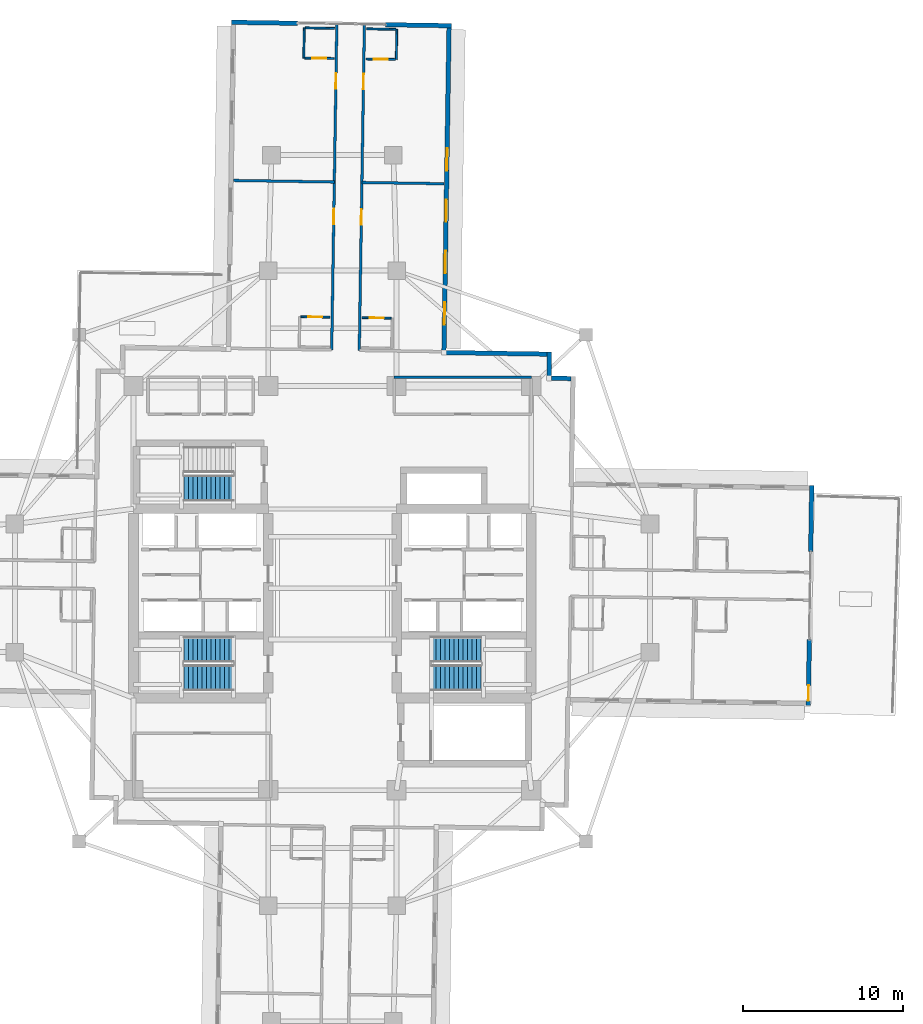
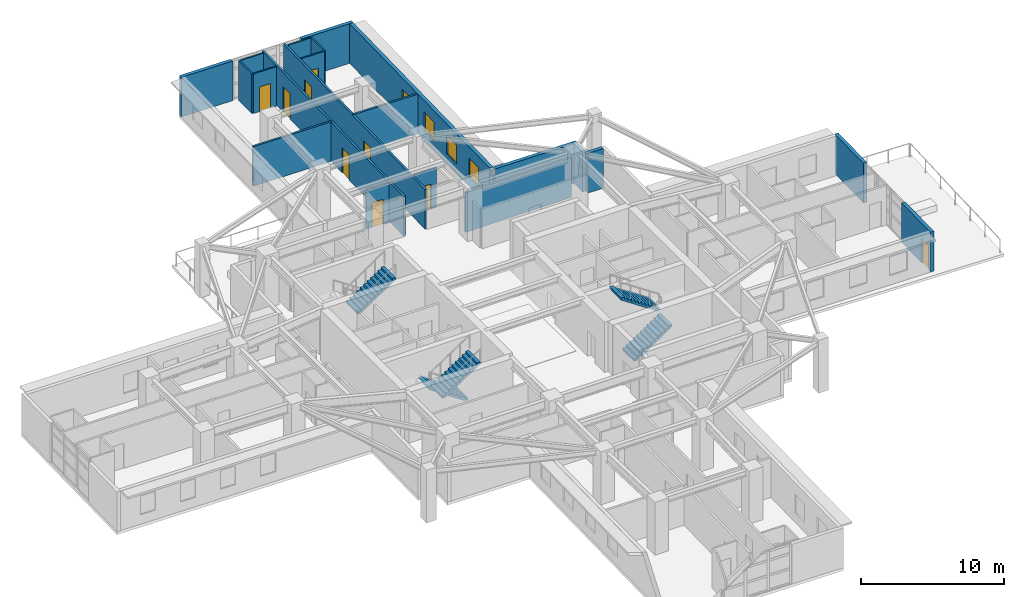
# One storey, part 16 of 22: 21 walls, 9 doors, 5 stair flights, 4 windows, 13 openings, 3 elements without a shape of their own.
"""IFC4 building model written with IfcOpenShell, lengths in metres."""

from ifc_helpers import new_model, si_unit, direction, frame, frame_2d, origin, place, context, subcontext, project, spatial, polyline, rectangle, outline, extrude, material, layer, layer_set, type_object, element, fill, aggregate, save


model = new_model("IFC4")

# Units and contexts
model_context = context("Model", 3, precision=1e-05, world=origin(), true_north=direction((0.0, 1.0)))
body_context = subcontext(model_context, "Body", "Model", "MODEL_VIEW")
ifc_project = project(units=[si_unit("LENGTHUNIT", "METRE"), si_unit("AREAUNIT", "SQUARE_METRE"), si_unit("VOLUMEUNIT", "CUBIC_METRE"), si_unit("PLANEANGLEUNIT", "RADIAN"), si_unit("MASSUNIT", "GRAM", prefix="KILO")], contexts=[model_context])

# Site, building, storey
site_placement = place(None, origin())
site = spatial("IfcSite", under=ifc_project, at=site_placement, CompositionType="ELEMENT")
building_placement = place(site_placement, origin())
building = spatial("IfcBuilding", under=site, at=building_placement, Name="Qingluan Cross Belvedere", CompositionType="ELEMENT")
storey_placement = place(building_placement, frame((0.0, 0.0, 100.199951171875)))
storey = spatial("IfcBuildingStorey", under=building, at=storey_placement, Name="L25", CompositionType="ELEMENT", Elevation=100.199951171875)

# Wall
ifc_material_1 = material(Name="Gypsum plasterboard on steel stud acoustic partition", Category="steel")
ifc_layer_1 = layer(ifc_material_1, 0.159912109375, Name="CorridorPartition_160")
ifc_layer_set_1 = layer_set([ifc_layer_1], Name="Gypsum plasterboard on steel stud acoustic partition")
wall_type_1 = type_object("IfcWallType", Name="CorridorPartition_160", PredefinedType="PARTITIONING", material=ifc_layer_set_1)
wall_1_placement = place(storey_placement, frame((3.85009765625, 13.14990234375, 0.0), z_axis=(0.0, 0.0, 1.0), x_axis=(1.0, 0.0, 0.0)))
element("IfcWall", 1, at=wall_1_placement, inside=storey, type_object=wall_type_1, Name="Partition L25:sky_concierge:N", PredefinedType="PARTITIONING", context=body_context, shape_type="SweptSolid", body=[
    extrude(rectangle(XDim=8.5498046875, YDim=0.159912109375, at=frame_2d((4.27490234375, 0.0))), origin(), (0.0, 0.0, 1.0), 3.3701171875),
])

# Wall, openings, doors
wall_2_placement = place(storey_placement, frame((1.673095703125, 14.825439453125, 0.0), z_axis=(0.0, 0.0, 1.0), x_axis=(0.015707509204, 0.999876629467, 0.0)))
wall_2 = element("IfcWall", 2, at=wall_2_placement, inside=storey, type_object=wall_type_1, Name="Partition L25:N:c0", PredefinedType="PARTITIONING", context=body_context, shape_type="SweptSolid", body=[
    extrude(rectangle(XDim=20.330078125, YDim=0.159912109375, at=frame_2d((10.1650390625, 0.0))), origin(), (0.0, 0.0, 1.0), 3.3701171875),
])
opening_1_placement = place(wall_2_placement, frame((7.8359375, 0.0, 0.0)))
opening_1 = element("IfcOpeningElement", 3, at=opening_1_placement, cuts=wall_2, Name="Opening GD-10", PredefinedType="OPENING", context=body_context, shape_type="SweptSolid", body=[
    extrude(rectangle(XDim=0.9599609375, YDim=2.14990234375, at=frame_2d((0.47998046875, 1.074951171875))), frame((0.0, 0.08984375, 0.0), z_axis=(0.0, -1.0, 0.0), x_axis=(1.0, 0.0, 0.0)), (0.0, 0.0, 1.0), 0.179931640625),
])
opening_2_placement = place(wall_2_placement, frame((16.2958984375, 0.0, 0.0)))
opening_2 = element("IfcOpeningElement", 4, at=opening_2_placement, cuts=wall_2, Name="Opening GD-10", PredefinedType="OPENING", context=body_context, shape_type="SweptSolid", body=[
    extrude(rectangle(XDim=0.9599609375, YDim=2.14990234375, at=frame_2d((0.47998046875, 1.074951171875))), frame((0.0, 0.08984375, 0.0), z_axis=(0.0, -1.0, 0.0), x_axis=(1.0, 0.0, 0.0)), (0.0, 0.0, 1.0), 0.179931640625),
])
ifc_material_2 = material(Name="Timber oak fire-rated acoustic guestroom door", Category="wood")
door_type_1 = type_object("IfcDoorType", Name="GuestEntryDoor_FD60", OperationType="NOTDEFINED", PredefinedType="DOOR", material=ifc_material_2)
door_1_placement = place(opening_1_placement, origin())
door_1 = element("IfcDoor", 5, at=door_1_placement, inside=storey, type_object=door_type_1, Name="Guest entry fire door 2509", OperationType="SINGLE_SWING_LEFT", OverallHeight=2.14990234375, OverallWidth=0.9599609375, PredefinedType="DOOR", context=body_context, shape_type="SweptSolid", body=[
    extrude(rectangle(XDim=0.9599609375, YDim=2.14990234375, at=frame_2d((0.47998046875, 1.074951171875))), frame((0.0, 0.02490234375, 0.0), z_axis=(0.0, -1.0, 0.0), x_axis=(1.0, 0.0, 0.0)), (0.0, 0.0, 1.0), 0.050048828125),
])
fill(opening_1, door_1)
door_2_placement = place(opening_2_placement, origin())
door_2 = element("IfcDoor", 6, at=door_2_placement, inside=storey, type_object=door_type_1, Name="Guest entry fire door 2510", OperationType="SINGLE_SWING_LEFT", OverallHeight=2.14990234375, OverallWidth=0.9599609375, PredefinedType="DOOR", context=body_context, shape_type="SweptSolid", body=[
    extrude(rectangle(XDim=0.9599609375, YDim=2.14990234375, at=frame_2d((0.47998046875, 1.074951171875))), frame((0.0, 0.02490234375, 0.0), z_axis=(0.0, -1.0, 0.0), x_axis=(1.0, 0.0, 0.0)), (0.0, 0.0, 1.0), 0.050048828125),
])
fill(opening_2, door_2)

# Wall
wall_3_placement = place(storey_placement, frame((1.83740234375, 25.294189453125, 0.0), z_axis=(0.0, 0.0, 1.0), x_axis=(0.99987677651, -0.01569814626, 0.0)))
element("IfcWall", 7, at=wall_3_placement, inside=storey, type_object=wall_type_1, Name="Partition L25:N:d0_0", PredefinedType="PARTITIONING", context=body_context, shape_type="SweptSolid", body=[
    extrude(rectangle(XDim=5.13232421875, YDim=0.159912109375, at=frame_2d((2.566162109375, 0.0))), origin(), (0.0, 0.0, 1.0), 3.3701171875),
])

# Wall, openings, doors
wall_4_placement = place(storey_placement, frame((-0.046630859375, 14.8525390625, 0.0), z_axis=(0.0, 0.0, 1.0), x_axis=(0.015707509204, 0.999876629467, 0.0)))
wall_4 = element("IfcWall", 8, at=wall_4_placement, inside=storey, type_object=wall_type_1, Name="Partition L25:N:c1", PredefinedType="PARTITIONING", context=body_context, shape_type="SweptSolid", body=[
    extrude(rectangle(XDim=20.330078125, YDim=0.159912109375, at=frame_2d((10.1650390625, 0.0))), origin(), (0.0, 0.0, 1.0), 3.3701171875),
])
opening_3_placement = place(wall_4_placement, frame((7.8359375, 0.0, 0.0)))
opening_3 = element("IfcOpeningElement", 9, at=opening_3_placement, cuts=wall_4, Name="Opening GD-10", PredefinedType="OPENING", context=body_context, shape_type="SweptSolid", body=[
    extrude(rectangle(XDim=0.9599609375, YDim=2.14990234375, at=frame_2d((0.47998046875, 1.074951171875))), frame((0.0, 0.08984375, 0.0), z_axis=(0.0, -1.0, 0.0), x_axis=(1.0, 0.0, 0.0)), (0.0, 0.0, 1.0), 0.179931640625),
])
opening_4_placement = place(wall_4_placement, frame((16.2958984375, 0.0, 0.0)))
opening_4 = element("IfcOpeningElement", 10, at=opening_4_placement, cuts=wall_4, Name="Opening GD-10", PredefinedType="OPENING", context=body_context, shape_type="SweptSolid", body=[
    extrude(rectangle(XDim=0.9599609375, YDim=2.14990234375, at=frame_2d((0.47998046875, 1.074951171875))), frame((0.0, 0.08984375, 0.0), z_axis=(0.0, -1.0, 0.0), x_axis=(1.0, 0.0, 0.0)), (0.0, 0.0, 1.0), 0.179931640625),
])
door_3_placement = place(opening_3_placement, origin())
door_3 = element("IfcDoor", 11, at=door_3_placement, inside=storey, type_object=door_type_1, Name="Guest entry fire door 2511", OperationType="SINGLE_SWING_LEFT", OverallHeight=2.14990234375, OverallWidth=0.9599609375, PredefinedType="DOOR", context=body_context, shape_type="SweptSolid", body=[
    extrude(rectangle(XDim=0.9599609375, YDim=2.14990234375, at=frame_2d((0.47998046875, 1.074951171875))), frame((0.0, 0.02490234375, 0.0), z_axis=(0.0, -1.0, 0.0), x_axis=(1.0, 0.0, 0.0)), (0.0, 0.0, 1.0), 0.050048828125),
])
fill(opening_3, door_3)
door_4_placement = place(opening_4_placement, origin())
door_4 = element("IfcDoor", 12, at=door_4_placement, inside=storey, type_object=door_type_1, Name="Guest entry fire door 2512", OperationType="SINGLE_SWING_LEFT", OverallHeight=2.14990234375, OverallWidth=0.9599609375, PredefinedType="DOOR", context=body_context, shape_type="SweptSolid", body=[
    extrude(rectangle(XDim=0.9599609375, YDim=2.14990234375, at=frame_2d((0.47998046875, 1.074951171875))), frame((0.0, 0.02490234375, 0.0), z_axis=(0.0, -1.0, 0.0), x_axis=(1.0, 0.0, 0.0)), (0.0, 0.0, 1.0), 0.050048828125),
])
fill(opening_4, door_4)

# Wall
wall_5_placement = place(storey_placement, frame((0.11767578125, 25.3212890625, 0.0), z_axis=(0.0, 0.0, 1.0), x_axis=(-0.999876517768, 0.01571461794, 0.0)))
element("IfcWall", 13, at=wall_5_placement, inside=storey, type_object=wall_type_1, Name="Partition L25:N:d1_0", PredefinedType="PARTITIONING", context=body_context, shape_type="SweptSolid", body=[
    extrude(rectangle(XDim=6.2919921875, YDim=0.159912109375, at=frame_2d((3.14599609375, 0.0))), origin(), (0.0, 0.0, 1.0), 3.3701171875),
])

# Wall, opening, door
ifc_material_3 = material(Name="Moisture-resistant gypsum board lining")
ifc_layer_2 = layer(ifc_material_3, 0.1201171875, Name="EnsuiteWetPartition_120")
ifc_layer_set_2 = layer_set([ifc_layer_2], Name="Moisture-resistant gypsum board lining")
wall_type_2 = type_object("IfcWallType", Name="EnsuiteWetPartition_120", PredefinedType="PARTITIONING", material=ifc_layer_set_2)
wall_6_placement = place(storey_placement, frame((1.84521484375, 16.863037109375, 0.0), z_axis=(0.0, 0.0, 1.0), x_axis=(0.999876803258, -0.015696442504, 0.0)))
wall_6 = element("IfcWall", 14, at=wall_6_placement, inside=storey, type_object=wall_type_2, Name="Partition L25:N:bs0_0", PredefinedType="PARTITIONING", context=body_context, shape_type="SweptSolid", body=[
    extrude(rectangle(XDim=1.81982421875, YDim=0.1201171875, at=frame_2d((0.909912109375, 0.0))), origin(), (0.0, 0.0, 1.0), 3.3701171875),
])
opening_5_placement = place(wall_6_placement, frame((0.469970703125, 0.0, 0.0)))
opening_5 = element("IfcOpeningElement", 15, at=opening_5_placement, cuts=wall_6, Name="Opening BD-09", PredefinedType="OPENING", context=body_context, shape_type="SweptSolid", body=[
    extrude(rectangle(XDim=0.8798828125, YDim=2.10009765625, at=frame_2d((0.43994140625, 1.050048828125))), frame((0.0, 0.070068359375, 0.0), z_axis=(0.0, -1.0, 0.0), x_axis=(1.0, 0.0, 0.0)), (0.0, 0.0, 1.0), 0.14013671875),
])
ifc_material_4 = material(Name="Moisture-sealed timber en-suite door", Category="wood")
door_type_2 = type_object("IfcDoorType", Name="BathroomDoor_880", OperationType="NOTDEFINED", PredefinedType="DOOR", material=ifc_material_4)
door_5_placement = place(opening_5_placement, origin())
door_5 = element("IfcDoor", 16, at=door_5_placement, inside=storey, type_object=door_type_2, Name="Bathroom door 2509", OperationType="SINGLE_SWING_RIGHT", OverallHeight=2.10009765625, OverallWidth=0.8798828125, PredefinedType="DOOR", context=body_context, shape_type="SweptSolid", body=[
    extrude(rectangle(XDim=0.8798828125, YDim=2.10009765625, at=frame_2d((0.43994140625, 1.050048828125))), frame((0.0, 0.02490234375, 0.0), z_axis=(0.0, -1.0, 0.0), x_axis=(1.0, 0.0, 0.0)), (0.0, 0.0, 1.0), 0.050048828125),
])
fill(opening_5, door_5)

wall_7_placement = place(storey_placement, frame((2.098388671875, 32.9912109375, 0.0), z_axis=(0.0, 0.0, 1.0), x_axis=(0.999874722342, -0.015828443418, 0.0)))
wall_7 = element("IfcWall", 17, at=wall_7_placement, inside=storey, type_object=wall_type_2, Name="Partition L25:N:bs0_1", PredefinedType="PARTITIONING", context=body_context, shape_type="SweptSolid", body=[
    extrude(rectangle(XDim=1.820068359375, YDim=0.1201171875, at=frame_2d((0.91015625, 0.0))), origin(), (0.0, 0.0, 1.0), 3.3701171875),
])
opening_6_placement = place(wall_7_placement, frame((0.469970703125, 0.0, 0.0)))
opening_6 = element("IfcOpeningElement", 18, at=opening_6_placement, cuts=wall_7, Name="Opening BD-09", PredefinedType="OPENING", context=body_context, shape_type="SweptSolid", body=[
    extrude(rectangle(XDim=0.8798828125, YDim=2.10009765625, at=frame_2d((0.43994140625, 1.050048828125))), frame((0.0, 0.070068359375, 0.0), z_axis=(0.0, -1.0, 0.0), x_axis=(1.0, 0.0, 0.0)), (0.0, 0.0, 1.0), 0.14013671875),
])
door_6_placement = place(opening_6_placement, origin())
door_6 = element("IfcDoor", 19, at=door_6_placement, inside=storey, type_object=door_type_2, Name="Bathroom door 2510", OperationType="SINGLE_SWING_RIGHT", OverallHeight=2.10009765625, OverallWidth=0.8798828125, PredefinedType="DOOR", context=body_context, shape_type="SweptSolid", body=[
    extrude(rectangle(XDim=0.8798828125, YDim=2.10009765625, at=frame_2d((0.43994140625, 1.050048828125))), frame((0.0, 0.02490234375, 0.0), z_axis=(0.0, -1.0, 0.0), x_axis=(1.0, 0.0, 0.0)), (0.0, 0.0, 1.0), 0.050048828125),
])
fill(opening_6, door_6)

# Walls
wall_8_placement = place(storey_placement, frame((2.1279296875, 34.870849609375, 0.0), z_axis=(0.0, 0.0, 1.0), x_axis=(0.999876836305, -0.015694337248, 0.0)))
element("IfcWall", 20, at=wall_8_placement, inside=storey, type_object=wall_type_2, Name="Partition L25:N:bw0_1", PredefinedType="PARTITIONING", context=body_context, shape_type="SweptSolid", body=[
    extrude(rectangle(XDim=1.820068359375, YDim=0.1201171875, at=frame_2d((0.91015625, 0.0))), origin(), (0.0, 0.0, 1.0), 3.3701171875),
])
wall_9_placement = place(storey_placement, frame((3.983154296875, 32.96142578125, 0.0), z_axis=(0.0, 0.0, 1.0), x_axis=(0.01571234584, 0.999876553475, 0.0)))
element("IfcWall", 21, at=wall_9_placement, inside=storey, type_object=wall_type_2, Name="Partition L25:N:bn0_1", PredefinedType="PARTITIONING", context=body_context, shape_type="SweptSolid", body=[
    extrude(rectangle(XDim=1.880126953125, YDim=0.1201171875, at=frame_2d((0.93994140625, 0.0))), origin(), (0.0, 0.0, 1.0), 3.3701171875),
])

# Wall, opening, door
wall_10_placement = place(storey_placement, frame((-1.974365234375, 16.923095703125, 0.0), z_axis=(0.0, 0.0, 1.0), x_axis=(0.999876803258, -0.015696442504, 0.0)))
wall_10 = element("IfcWall", 22, at=wall_10_placement, inside=storey, type_object=wall_type_2, Name="Partition L25:N:bs1_0", PredefinedType="PARTITIONING", context=body_context, shape_type="SweptSolid", body=[
    extrude(rectangle(XDim=1.81982421875, YDim=0.1201171875, at=frame_2d((0.909912109375, 0.0))), origin(), (0.0, 0.0, 1.0), 3.3701171875),
])
opening_7_placement = place(wall_10_placement, frame((0.469970703125, 0.0, 0.0)))
opening_7 = element("IfcOpeningElement", 23, at=opening_7_placement, cuts=wall_10, Name="Opening BD-09", PredefinedType="OPENING", context=body_context, shape_type="SweptSolid", body=[
    extrude(rectangle(XDim=0.8798828125, YDim=2.10009765625, at=frame_2d((0.43994140625, 1.050048828125))), frame((0.0, 0.070068359375, 0.0), z_axis=(0.0, -1.0, 0.0), x_axis=(1.0, 0.0, 0.0)), (0.0, 0.0, 1.0), 0.14013671875),
])
door_7_placement = place(opening_7_placement, origin())
door_7 = element("IfcDoor", 24, at=door_7_placement, inside=storey, type_object=door_type_2, Name="Bathroom door 2511", OperationType="SINGLE_SWING_RIGHT", OverallHeight=2.10009765625, OverallWidth=0.8798828125, PredefinedType="DOOR", context=body_context, shape_type="SweptSolid", body=[
    extrude(rectangle(XDim=0.8798828125, YDim=2.10009765625, at=frame_2d((0.43994140625, 1.050048828125))), frame((0.0, 0.02490234375, 0.0), z_axis=(0.0, -1.0, 0.0), x_axis=(1.0, 0.0, 0.0)), (0.0, 0.0, 1.0), 0.050048828125),
])
fill(opening_7, door_7)

wall_11_placement = place(storey_placement, frame((-1.72119140625, 33.051025390625, 0.0), z_axis=(0.0, 0.0, 1.0), x_axis=(0.999876836305, -0.015694337248, 0.0)))
wall_11 = element("IfcWall", 25, at=wall_11_placement, inside=storey, type_object=wall_type_2, Name="Partition L25:N:bs1_1", PredefinedType="PARTITIONING", context=body_context, shape_type="SweptSolid", body=[
    extrude(rectangle(XDim=1.820068359375, YDim=0.1201171875, at=frame_2d((0.91015625, 0.0))), origin(), (0.0, 0.0, 1.0), 3.3701171875),
])
opening_8_placement = place(wall_11_placement, frame((0.469970703125, 0.0, 0.0)))
opening_8 = element("IfcOpeningElement", 26, at=opening_8_placement, cuts=wall_11, Name="Opening BD-09", PredefinedType="OPENING", context=body_context, shape_type="SweptSolid", body=[
    extrude(rectangle(XDim=0.8798828125, YDim=2.10009765625, at=frame_2d((0.43994140625, 1.050048828125))), frame((0.0, 0.070068359375, 0.0), z_axis=(0.0, -1.0, 0.0), x_axis=(1.0, 0.0, 0.0)), (0.0, 0.0, 1.0), 0.14013671875),
])
door_8_placement = place(opening_8_placement, origin())
door_8 = element("IfcDoor", 27, at=door_8_placement, inside=storey, type_object=door_type_2, Name="Bathroom door 2512", OperationType="SINGLE_SWING_RIGHT", OverallHeight=2.10009765625, OverallWidth=0.8798828125, PredefinedType="DOOR", context=body_context, shape_type="SweptSolid", body=[
    extrude(rectangle(XDim=0.8798828125, YDim=2.10009765625, at=frame_2d((0.43994140625, 1.050048828125))), frame((0.0, 0.02490234375, 0.0), z_axis=(0.0, -1.0, 0.0), x_axis=(1.0, 0.0, 0.0)), (0.0, 0.0, 1.0), 0.050048828125),
])
fill(opening_8, door_8)

# Walls
wall_12_placement = place(storey_placement, frame((-1.69140625, 34.930908203125, 0.0), z_axis=(0.0, 0.0, 1.0), x_axis=(0.999876803258, -0.015696442504, 0.0)))
element("IfcWall", 28, at=wall_12_placement, inside=storey, type_object=wall_type_2, Name="Partition L25:N:bw1_1", PredefinedType="PARTITIONING", context=body_context, shape_type="SweptSolid", body=[
    extrude(rectangle(XDim=1.81982421875, YDim=0.1201171875, at=frame_2d((0.909912109375, 0.0))), origin(), (0.0, 0.0, 1.0), 3.3701171875),
])
wall_13_placement = place(storey_placement, frame((-1.7861328125, 33.052001953125, 0.0), z_axis=(0.0, 0.0, 1.0), x_axis=(0.01571234584, 0.999876553475, 0.0)))
element("IfcWall", 29, at=wall_13_placement, inside=storey, type_object=wall_type_2, Name="Partition L25:N:bc1_1", PredefinedType="PARTITIONING", context=body_context, shape_type="SweptSolid", body=[
    extrude(rectangle(XDim=1.880126953125, YDim=0.1201171875, at=frame_2d((0.93994140625, 0.0))), origin(), (0.0, 0.0, 1.0), 3.3701171875),
])

# Wall, opening, door
ifc_material_5 = material(Name="Precast concrete C45", Category="concrete")
ifc_layer_3 = layer(ifc_material_5, 0.280029296875, Name="PrecastFacadeWall_280")
ifc_layer_set_3 = layer_set([ifc_layer_3], Name="Precast concrete C45")
wall_type_3 = type_object("IfcWallType", Name="PrecastFacadeWall_280", PredefinedType="STANDARD", material=ifc_layer_set_3)
wall_14_placement = place(storey_placement, frame((29.668701171875, -7.326904296875, 0.0), z_axis=(0.0, 0.0, 1.0), x_axis=(0.015718530042, 0.999876456275, 0.0)))
wall_14 = element("IfcWall", 30, at=wall_14_placement, inside=storey, type_object=wall_type_3, Name="Terrace portal jamb wall L25-E1", PredefinedType="STANDARD", context=body_context, shape_type="SweptSolid", body=[
    extrude(rectangle(XDim=4.115966796875, YDim=0.280029296875, at=frame_2d((2.05810546875, 0.0))), origin(), (0.0, 0.0, 1.0), 3.380126953125),
])
opening_9_placement = place(wall_14_placement, frame((0.300048828125, 0.0, 0.0)))
opening_9 = element("IfcOpeningElement", 31, at=opening_9_placement, cuts=wall_14, Name="Opening TD-10", PredefinedType="OPENING", context=body_context, shape_type="SweptSolid", body=[
    extrude(rectangle(XDim=0.9599609375, YDim=2.10009765625, at=frame_2d((0.47998046875, 1.050048828125))), frame((0.0, 0.14990234375, 0.0), z_axis=(0.0, -1.0, 0.0), x_axis=(1.0, 0.0, 0.0)), (0.0, 0.0, 1.0), 0.300048828125),
])
ifc_material_6 = material(Name="Thermally broken aluminium and Low-E glass", Category="aluminium")
door_type_3 = type_object("IfcDoorType", Name="SetbackTerraceDoor_096", OperationType="NOTDEFINED", PredefinedType="DOOR", material=ifc_material_6)
door_9_placement = place(opening_9_placement, origin())
door_9 = element("IfcDoor", 32, at=door_9_placement, inside=storey, type_object=door_type_3, Name="Outdoor terrace access door L25-set1", OperationType="SINGLE_SWING_RIGHT", OverallHeight=2.10009765625, OverallWidth=0.9599609375, PredefinedType="DOOR", context=body_context, shape_type="SweptSolid", body=[
    extrude(rectangle(XDim=0.9599609375, YDim=2.10009765625, at=frame_2d((0.47998046875, 1.050048828125))), frame((0.0, 0.02490234375, 0.0), z_axis=(0.0, -1.0, 0.0), x_axis=(1.0, 0.0, 0.0)), (0.0, 0.0, 1.0), 0.050048828125),
])
fill(opening_9, door_9)

# Wall
wall_15_placement = place(storey_placement, frame((29.8193359375, 2.27587890625, 0.0), z_axis=(0.0, 0.0, 1.0), x_axis=(0.015718530042, 0.999876456275, 0.0)))
element("IfcWall", 33, at=wall_15_placement, inside=storey, type_object=wall_type_3, Name="Terrace portal jamb wall L25-E2", PredefinedType="STANDARD", context=body_context, shape_type="SweptSolid", body=[
    extrude(rectangle(XDim=4.115966796875, YDim=0.280029296875, at=frame_2d((2.05810546875, 0.0))), origin(), (0.0, 0.0, 1.0), 3.380126953125),
])

# Wall, openings, windows
wall_16_placement = place(storey_placement, frame((6.953857421875, 14.83251953125, 0.0), z_axis=(0.0, 0.0, 1.0), x_axis=(0.015705059908, 0.999876667941, 0.0)))
wall_16 = element("IfcWall", 34, at=wall_16_placement, inside=storey, type_object=wall_type_3, Name="Facade wall L25-NA", PredefinedType="STANDARD", context=body_context, shape_type="SweptSolid", body=[
    extrude(rectangle(XDim=20.10009765625, YDim=0.280029296875, at=frame_2d((10.050048828125, 0.0))), origin(), (0.0, 0.0, 1.0), 3.380126953125),
])
opening_10_placement = place(wall_16_placement, frame((1.60009765625, 0.0, 0.800048828125)))
opening_10 = element("IfcOpeningElement", 35, at=opening_10_placement, cuts=wall_16, Name="Opening W-01", PredefinedType="OPENING", context=body_context, shape_type="SweptSolid", body=[
    extrude(rectangle(XDim=1.39990234375, YDim=1.60009765625, at=frame_2d((0.699951171875, 0.800048828125))), frame((0.0, 0.14990234375, 0.0), z_axis=(0.0, -1.0, 0.0), x_axis=(1.0, 0.0, 0.0)), (0.0, 0.0, 1.0), 0.300048828125),
])
opening_11_placement = place(wall_16_placement, frame((4.800048828125, 0.0, 0.800048828125)))
opening_11 = element("IfcOpeningElement", 36, at=opening_11_placement, cuts=wall_16, Name="Opening W-01", PredefinedType="OPENING", context=body_context, shape_type="SweptSolid", body=[
    extrude(rectangle(XDim=1.39990234375, YDim=1.60009765625, at=frame_2d((0.699951171875, 0.800048828125))), frame((0.0, 0.14990234375, 0.0), z_axis=(0.0, -1.0, 0.0), x_axis=(1.0, 0.0, 0.0)), (0.0, 0.0, 1.0), 0.300048828125),
])
opening_12_placement = place(wall_16_placement, frame((8.0, 0.0, 0.800048828125)))
opening_12 = element("IfcOpeningElement", 37, at=opening_12_placement, cuts=wall_16, Name="Opening W-01", PredefinedType="OPENING", context=body_context, shape_type="SweptSolid", body=[
    extrude(rectangle(XDim=1.39990234375, YDim=1.60009765625, at=frame_2d((0.699951171875, 0.800048828125))), frame((0.0, 0.14990234375, 0.0), z_axis=(0.0, -1.0, 0.0), x_axis=(1.0, 0.0, 0.0)), (0.0, 0.0, 1.0), 0.300048828125),
])
opening_13_placement = place(wall_16_placement, frame((11.199951171875, 0.0, 0.800048828125)))
opening_13 = element("IfcOpeningElement", 38, at=opening_13_placement, cuts=wall_16, Name="Opening W-01", PredefinedType="OPENING", context=body_context, shape_type="SweptSolid", body=[
    extrude(rectangle(XDim=1.39990234375, YDim=1.60009765625, at=frame_2d((0.699951171875, 0.800048828125))), frame((0.0, 0.14990234375, 0.0), z_axis=(0.0, -1.0, 0.0), x_axis=(1.0, 0.0, 0.0)), (0.0, 0.0, 1.0), 0.300048828125),
])
ifc_material_7 = material(Name="Thermally broken triple Low-E glass in aluminium frame", Category="aluminium")
window_type = type_object("IfcWindowType", Name="TriRibbonWin_1400x1600", PartitioningType="SINGLE_PANEL", PredefinedType="WINDOW", material=ifc_material_7)
window_1_placement = place(opening_10_placement, origin())
window_1 = element("IfcWindow", 39, at=window_1_placement, inside=storey, type_object=window_type, Name="Ribbon window L25-NA-1", OverallHeight=1.60009765625, OverallWidth=1.39990234375, PartitioningType="SINGLE_PANEL", PredefinedType="WINDOW", context=body_context, shape_type="SweptSolid", body=[
    extrude(rectangle(XDim=1.39990234375, YDim=1.60009765625, at=frame_2d((0.699951171875, 0.800048828125))), frame((0.0, 0.030029296875, 0.0), z_axis=(0.0, -1.0, 0.0), x_axis=(1.0, 0.0, 0.0)), (0.0, 0.0, 1.0), 0.06005859375),
])
fill(opening_10, window_1)
window_2_placement = place(opening_11_placement, origin())
window_2 = element("IfcWindow", 40, at=window_2_placement, inside=storey, type_object=window_type, Name="Ribbon window L25-NA-2", OverallHeight=1.60009765625, OverallWidth=1.39990234375, PartitioningType="SINGLE_PANEL", PredefinedType="WINDOW", context=body_context, shape_type="SweptSolid", body=[
    extrude(rectangle(XDim=1.39990234375, YDim=1.60009765625, at=frame_2d((0.699951171875, 0.800048828125))), frame((0.0, 0.030029296875, 0.0), z_axis=(0.0, -1.0, 0.0), x_axis=(1.0, 0.0, 0.0)), (0.0, 0.0, 1.0), 0.06005859375),
])
fill(opening_11, window_2)
window_3_placement = place(opening_12_placement, origin())
window_3 = element("IfcWindow", 41, at=window_3_placement, inside=storey, type_object=window_type, Name="Ribbon window L25-NA-3", OverallHeight=1.60009765625, OverallWidth=1.39990234375, PartitioningType="SINGLE_PANEL", PredefinedType="WINDOW", context=body_context, shape_type="SweptSolid", body=[
    extrude(rectangle(XDim=1.39990234375, YDim=1.60009765625, at=frame_2d((0.699951171875, 0.800048828125))), frame((0.0, 0.030029296875, 0.0), z_axis=(0.0, -1.0, 0.0), x_axis=(1.0, 0.0, 0.0)), (0.0, 0.0, 1.0), 0.06005859375),
])
fill(opening_12, window_3)
window_4_placement = place(opening_13_placement, origin())
window_4 = element("IfcWindow", 42, at=window_4_placement, inside=storey, type_object=window_type, Name="Ribbon window L25-NA-4", OverallHeight=1.60009765625, OverallWidth=1.39990234375, PartitioningType="SINGLE_PANEL", PredefinedType="WINDOW", context=body_context, shape_type="SweptSolid", body=[
    extrude(rectangle(XDim=1.39990234375, YDim=1.60009765625, at=frame_2d((0.699951171875, 0.800048828125))), frame((0.0, 0.030029296875, 0.0), z_axis=(0.0, -1.0, 0.0), x_axis=(1.0, 0.0, 0.0)), (0.0, 0.0, 1.0), 0.06005859375),
])
fill(opening_13, window_4)

# Walls
for number, where, z_axis, x_axis, name in (
    (43, (7.41162109375, 35.06787109375, 0.0), (0.0, 0.0, 1.0), (-0.999876456275, 0.015718530042, 0.0), "Terrace portal jamb wall L25-N1"),
    (44, (-2.191162109375, 35.21875, 0.0), (0.0, 0.0, 1.0), (-0.999876456275, 0.015718530042, 0.0), "Terrace portal jamb wall L25-N2"),
):
    element("IfcWall", number, at=place(storey_placement, frame(where, z_axis=z_axis, x_axis=x_axis)), inside=storey, type_object=wall_type_3, Name=name, PredefinedType="STANDARD", context=body_context, shape_type="SweptSolid", body=[
        extrude(rectangle(XDim=4.115966796875, YDim=0.280029296875, at=frame_2d((2.05810546875, 0.0))), origin(), (0.0, 0.0, 1.0), 3.380126953125),
    ])
wall_17_placement = place(storey_placement, frame((14.8671875, 13.068115234375, 0.0), z_axis=(0.0, 0.0, 1.0), x_axis=(-0.999875053502, 0.015807510352, 0.0)))
element("IfcWall", 45, at=wall_17_placement, inside=storey, type_object=wall_type_3, Name="Corner wall L25-NE2", PredefinedType="STANDARD", context=body_context, shape_type="SweptSolid", body=[
    extrude(rectangle(XDim=1.22021484375, YDim=0.280029296875, at=frame_2d((0.610107421875, 0.0))), origin(), (0.0, 0.0, 1.0), 3.380126953125),
])
wall_18_placement = place(storey_placement, frame((13.509521484375, 13.2294921875, 0.0), z_axis=(0.0, 0.0, 1.0), x_axis=(0.015625635615, 0.999877912303, 0.0)))
element("IfcWall", 46, at=wall_18_placement, inside=storey, type_object=wall_type_3, Name="Corner wall L25-NE3", PredefinedType="STANDARD", context=body_context, shape_type="SweptSolid", body=[
    extrude(rectangle(XDim=1.5, YDim=0.280029296875, at=frame_2d((0.75, 0.0))), origin(), (0.0, 0.0, 1.0), 3.380126953125),
])
wall_19_placement = place(storey_placement, frame((13.390869140625, 14.591552734375, 0.0), z_axis=(0.0, 0.0, 1.0), x_axis=(-0.999876833368, 0.015694524359, 0.0)))
element("IfcWall", 47, at=wall_19_placement, inside=storey, type_object=wall_type_3, Name="Corner wall L25-NE4", PredefinedType="STANDARD", context=body_context, shape_type="SweptSolid", body=[
    extrude(rectangle(XDim=6.300048828125, YDim=0.280029296875, at=frame_2d((3.14990234375, 0.0))), origin(), (0.0, 0.0, 1.0), 3.380126953125),
])

# Stair, stair flights
ifc_material_8 = material(Name="Concrete C40", Category="concrete")
stair_type = type_object("IfcStairType", Name="CoreDoglegStair_1620", PredefinedType="HALF_TURN_STAIR", material=ifc_material_8)
stair_1_placement = place(storey_placement, origin())
stair_1 = element("IfcStair", 48, at=stair_1_placement, inside=storey, type_object=stair_type, Name="L25 ST1", PredefinedType="HALF_TURN_STAIR")
ifc_material_9 = material(Name="Concrete C40", Category="concrete")
ifc_layer_4 = layer(ifc_material_9, 0.179931640625, Name="StairFlight_RC180")
ifc_layer_set_4 = layer_set([ifc_layer_4], Name="Concrete C40")
stair_flight_type = type_object("IfcStairFlightType", Name="StairFlight_RC180", PredefinedType="STRAIGHT", material=ifc_layer_set_4)
stair_flight_1_placement = place(storey_placement, frame((-6.179931640625, -3.81005859375, 0.0), z_axis=(0.0, 0.0, 1.0), x_axis=(-1.0, 0.0, 0.0)))
stair_flight_1 = element("IfcStairFlight", 49, at=stair_flight_1_placement, type_object=stair_flight_type, Name="ST1 flight 1", NumberOfRisers=12, NumberOfTreads=11, PredefinedType="STRAIGHT", RiserHeight=0.1875, TreadLength=0.28, context=body_context, shape_type="SweptSolid", body=[
    extrude(outline(polyline([(0.0, 0.0), (0.0, 0.1875), (0.280029296875, 0.1875), (0.280029296875, 0.375), (0.56005859375, 0.375), (0.56005859375, 0.5625), (0.840087890625, 0.5625), (0.840087890625, 0.75), (1.1201171875, 0.75), (1.1201171875, 0.9375), (1.39990234375, 0.9375), (1.39990234375, 1.125), (1.679931640625, 1.125), (1.679931640625, 1.3125), (1.9599609375, 1.3125), (1.9599609375, 1.5), (2.239990234375, 1.5), (2.239990234375, 1.6875), (2.52001953125, 1.6875), (2.52001953125, 1.875), (2.800048828125, 1.875), (2.800048828125, 2.0625), (3.080078125, 2.0625), (3.080078125, 2.25), (3.080078125, 1.882080078125), (0.26953125, 0.0), (0.0, 0.0)])), frame((0.0, 0.81005859375, 0.0), z_axis=(0.0, -1.0, 0.0), x_axis=(1.0, 0.0, 0.0)), (0.0, 0.0, 1.0), 1.6201171875),
])
stair_flight_2_placement = place(storey_placement, frame((-9.260009765625, -5.590087890625, 2.25), z_axis=(0.0, 0.0, 1.0), x_axis=(1.0, 0.0, 0.0)))
stair_flight_2 = element("IfcStairFlight", 50, at=stair_flight_2_placement, type_object=stair_flight_type, Name="ST1 flight 2", NumberOfRisers=12, NumberOfTreads=11, PredefinedType="STRAIGHT", RiserHeight=0.1875, TreadLength=0.28, context=body_context, shape_type="SweptSolid", body=[
    extrude(outline(polyline([(0.0, 0.0), (0.0, 0.1875), (0.280029296875, 0.1875), (0.280029296875, 0.375), (0.56005859375, 0.375), (0.56005859375, 0.5625), (0.840087890625, 0.5625), (0.840087890625, 0.75), (1.1201171875, 0.75), (1.1201171875, 0.9375), (1.39990234375, 0.9375), (1.39990234375, 1.125), (1.679931640625, 1.125), (1.679931640625, 1.3125), (1.9599609375, 1.3125), (1.9599609375, 1.5), (2.239990234375, 1.5), (2.239990234375, 1.6875), (2.52001953125, 1.6875), (2.52001953125, 1.875), (2.800048828125, 1.875), (2.800048828125, 2.0625), (3.080078125, 2.0625), (3.080078125, 2.25), (3.080078125, 1.882080078125), (0.26953125, 0.0), (0.0, 0.0)])), frame((0.0, 0.81005859375, 0.0), z_axis=(0.0, -1.0, 0.0), x_axis=(1.0, 0.0, 0.0)), (0.0, 0.0, 1.0), 1.6201171875),
])
aggregate(stair_1, [stair_flight_1, stair_flight_2])

stair_2_placement = place(storey_placement, origin())
stair_2 = element("IfcStair", 51, at=stair_2_placement, inside=storey, type_object=stair_type, Name="L25 ST2", PredefinedType="HALF_TURN_STAIR")
stair_flight_3_placement = place(storey_placement, frame((6.179931640625, -5.590087890625, 0.0), z_axis=(0.0, 0.0, 1.0), x_axis=(1.0, 0.0, 0.0)))
stair_flight_3 = element("IfcStairFlight", 52, at=stair_flight_3_placement, type_object=stair_flight_type, Name="ST2 flight 1", NumberOfRisers=12, NumberOfTreads=11, PredefinedType="STRAIGHT", RiserHeight=0.1875, TreadLength=0.28, context=body_context, shape_type="SweptSolid", body=[
    extrude(outline(polyline([(0.0, 0.0), (0.0, 0.1875), (0.280029296875, 0.1875), (0.280029296875, 0.375), (0.56005859375, 0.375), (0.56005859375, 0.5625), (0.840087890625, 0.5625), (0.840087890625, 0.75), (1.1201171875, 0.75), (1.1201171875, 0.9375), (1.39990234375, 0.9375), (1.39990234375, 1.125), (1.679931640625, 1.125), (1.679931640625, 1.3125), (1.9599609375, 1.3125), (1.9599609375, 1.5), (2.239990234375, 1.5), (2.239990234375, 1.6875), (2.52001953125, 1.6875), (2.52001953125, 1.875), (2.800048828125, 1.875), (2.800048828125, 2.0625), (3.080078125, 2.0625), (3.080078125, 2.25), (3.080078125, 1.882080078125), (0.26953125, 0.0), (0.0, 0.0)])), frame((0.0, 0.81005859375, 0.0), z_axis=(0.0, -1.0, 0.0), x_axis=(1.0, 0.0, 0.0)), (0.0, 0.0, 1.0), 1.6201171875),
])
stair_flight_4_placement = place(storey_placement, frame((9.260009765625, -3.81005859375, 2.25), z_axis=(0.0, 0.0, 1.0), x_axis=(-1.0, 0.0, 0.0)))
stair_flight_4 = element("IfcStairFlight", 53, at=stair_flight_4_placement, type_object=stair_flight_type, Name="ST2 flight 2", NumberOfRisers=12, NumberOfTreads=11, PredefinedType="STRAIGHT", RiserHeight=0.1875, TreadLength=0.28, context=body_context, shape_type="SweptSolid", body=[
    extrude(outline(polyline([(0.0, 0.0), (0.0, 0.1875), (0.280029296875, 0.1875), (0.280029296875, 0.375), (0.56005859375, 0.375), (0.56005859375, 0.5625), (0.840087890625, 0.5625), (0.840087890625, 0.75), (1.1201171875, 0.75), (1.1201171875, 0.9375), (1.39990234375, 0.9375), (1.39990234375, 1.125), (1.679931640625, 1.125), (1.679931640625, 1.3125), (1.9599609375, 1.3125), (1.9599609375, 1.5), (2.239990234375, 1.5), (2.239990234375, 1.6875), (2.52001953125, 1.6875), (2.52001953125, 1.875), (2.800048828125, 1.875), (2.800048828125, 2.0625), (3.080078125, 2.0625), (3.080078125, 2.25), (3.080078125, 1.882080078125), (0.26953125, 0.0), (0.0, 0.0)])), frame((0.0, 0.81005859375, 0.0), z_axis=(0.0, -1.0, 0.0), x_axis=(1.0, 0.0, 0.0)), (0.0, 0.0, 1.0), 1.6201171875),
])
aggregate(stair_2, [stair_flight_3, stair_flight_4])

# Stair, stair flight
stair_3_placement = place(storey_placement, origin())
stair_3 = element("IfcStair", 54, at=stair_3_placement, inside=storey, type_object=stair_type, Name="L25 ST3", PredefinedType="HALF_TURN_STAIR")
stair_flight_5_placement = place(storey_placement, frame((-9.260009765625, 6.22998046875, 2.25), z_axis=(0.0, 0.0, 1.0), x_axis=(1.0, 0.0, 0.0)))
stair_flight_5 = element("IfcStairFlight", 55, at=stair_flight_5_placement, type_object=stair_flight_type, Name="ST3 flight 2", NumberOfRisers=12, NumberOfTreads=11, PredefinedType="STRAIGHT", RiserHeight=0.1875, TreadLength=0.28, context=body_context, shape_type="SweptSolid", body=[
    extrude(outline(polyline([(0.0, 0.0), (0.0, 0.1875), (0.280029296875, 0.1875), (0.280029296875, 0.375), (0.56005859375, 0.375), (0.56005859375, 0.5625), (0.840087890625, 0.5625), (0.840087890625, 0.75), (1.1201171875, 0.75), (1.1201171875, 0.9375), (1.39990234375, 0.9375), (1.39990234375, 1.125), (1.679931640625, 1.125), (1.679931640625, 1.3125), (1.9599609375, 1.3125), (1.9599609375, 1.5), (2.239990234375, 1.5), (2.239990234375, 1.6875), (2.52001953125, 1.6875), (2.52001953125, 1.875), (2.800048828125, 1.875), (2.800048828125, 2.0625), (3.080078125, 2.0625), (3.080078125, 2.25), (3.080078125, 1.882080078125), (0.26953125, 0.0), (0.0, 0.0)])), frame((0.0, 0.81005859375, 0.0), z_axis=(0.0, -1.0, 0.0), x_axis=(1.0, 0.0, 0.0)), (0.0, 0.0, 1.0), 1.6201171875),
])
aggregate(stair_3, [stair_flight_5])

save(model, "model.ifc")
